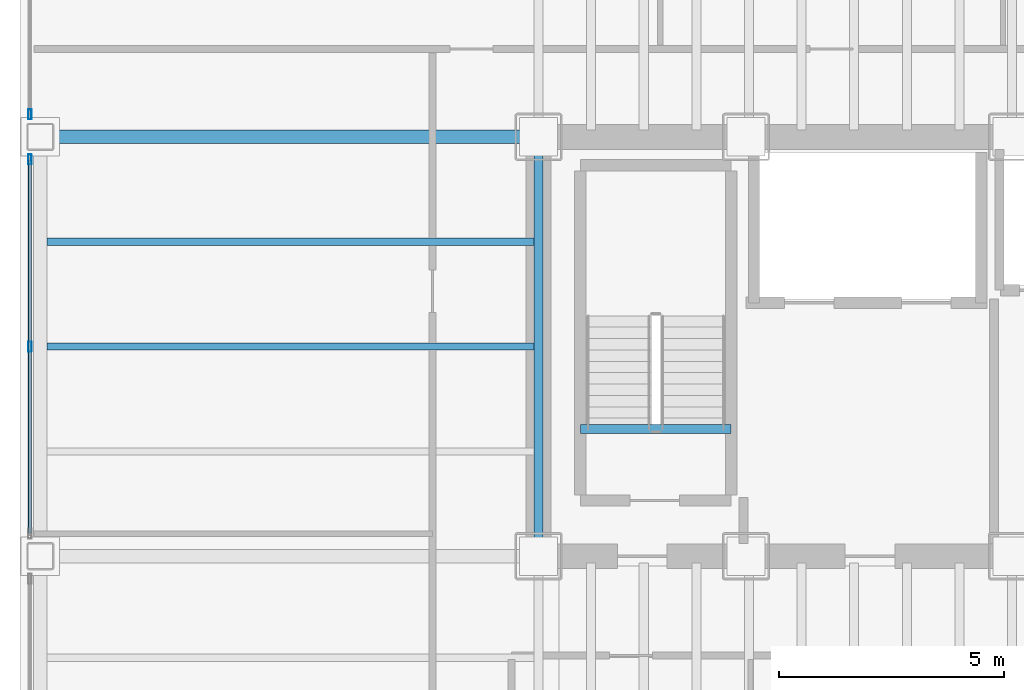
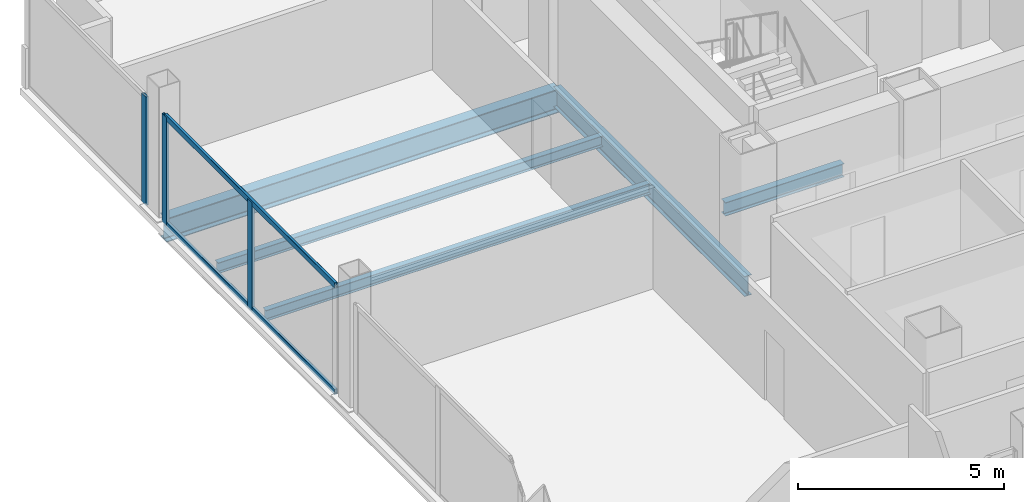
# One storey, part 6 of 21: 5 beams, 5 members, 2 elements without a shape of their own.
"""IFC4 building model written with IfcOpenShell, lengths in metres."""

from ifc_helpers import new_model, si_unit, direction, frame, origin, origin_2d, place, context, subcontext, project, spatial, hollow_rectangle, i_section, extrude, material, material_profile, profile_set, type_object, element, aggregate, save


model = new_model("IFC4")

# Units and contexts
model_context = context("Model", 3, precision=1e-05, world=origin(), true_north=direction((0.0, 1.0)))
body_context = subcontext(model_context, "Body", "Model", "MODEL_VIEW")
ifc_project = project(units=[si_unit("LENGTHUNIT", "METRE"), si_unit("AREAUNIT", "SQUARE_METRE"), si_unit("VOLUMEUNIT", "CUBIC_METRE"), si_unit("PLANEANGLEUNIT", "RADIAN"), si_unit("MASSUNIT", "GRAM", prefix="KILO")], contexts=[model_context])

# Site, building, storey
site_placement = place(None, origin())
site = spatial("IfcSite", under=ifc_project, at=site_placement, CompositionType="ELEMENT")
building_placement = place(site_placement, origin())
building = spatial("IfcBuilding", under=site, at=building_placement, Name="Noeulbin Bourse Tower", CompositionType="ELEMENT")
storey_placement = place(building_placement, frame((0.0, 0.0, 46.0)))
storey = spatial("IfcBuildingStorey", under=building, at=storey_placement, Name="L11", CompositionType="ELEMENT", Elevation=46.0)

# Beams
ifc_material_1 = material(Name="Steel S355", Category="steel")
ifc_material_profile_1 = material_profile(ifc_material_1, i_section(OverallWidth=0.199951171875, OverallDepth=0.60009765625, WebThickness=0.010986328125, FlangeThickness=0.01708984375, FilletRadius=0.02197265625, at=origin_2d()), Name="H-600x200x11x17", Category="LoadBearing")
ifc_profile_set_1 = profile_set([ifc_material_profile_1], Name="Steel S355")
beam_type_1 = type_object("IfcBeamType", Name="BM-GRD-600", PredefinedType="USERDEFINED", material=ifc_profile_set_1)
beam_1_placement = place(storey_placement, frame((13.5, 29.0, -0.47998046875), z_axis=(0.0, 1.0, 0.0), x_axis=(-1.0, 0.0, 0.0)))
element("IfcBeam", 1, at=beam_1_placement, inside=storey, type_object=beam_type_1, Name="Tower Primary Girder NS L11-1.3", ObjectType="GIRDER", PredefinedType="USERDEFINED", context=body_context, shape_type="SweptSolid", body=[
    extrude(i_section(OverallWidth=0.199951171875, OverallDepth=0.60009765625, WebThickness=0.010986328125, FlangeThickness=0.01708984375, FilletRadius=0.02197265625, at=origin_2d()), origin(), (0.0, 0.0, 1.0), 9.300048828125),
])
ifc_material_profile_2 = material_profile(ifc_material_1, i_section(OverallWidth=0.300048828125, OverallDepth=0.699951171875, WebThickness=0.012939453125, FlangeThickness=0.02392578125, FilletRadius=0.02392578125, at=origin_2d()), Name="H-700x300x13x24", Category="LoadBearing")
ifc_profile_set_2 = profile_set([ifc_material_profile_2], Name="Steel S355")
beam_type_2 = type_object("IfcBeamType", Name="BM-GRD-700", PredefinedType="USERDEFINED", material=ifc_profile_set_2)
beam_2_placement = place(storey_placement, frame((2.449951171875, 38.300048828125, -0.530029296875), z_axis=(1.0, 0.0, 0.0), x_axis=(0.0, 1.0, 0.0)))
element("IfcBeam", 2, at=beam_2_placement, inside=storey, type_object=beam_type_2, Name="Tower Primary Girder EW L11-3.1", ObjectType="GIRDER", PredefinedType="USERDEFINED", context=body_context, shape_type="SweptSolid", body=[
    extrude(i_section(OverallWidth=0.300048828125, OverallDepth=0.699951171875, WebThickness=0.012939453125, FlangeThickness=0.02392578125, FilletRadius=0.02392578125, at=origin_2d()), origin(), (0.0, 0.0, 1.0), 11.050048828125),
])
ifc_material_profile_3 = material_profile(ifc_material_1, i_section(OverallWidth=0.159912109375, OverallDepth=0.320068359375, WebThickness=0.006591796875, FlangeThickness=0.010009765625, FilletRadius=0.012939453125, at=origin_2d()), Name="H-320x160x6.5x10", Category="LoadBearing")
ifc_profile_set_3 = profile_set([ifc_material_profile_3], Name="Steel S355")
beam_type_3 = type_object("IfcBeamType", Name="BM-JST-320", PredefinedType="JOIST", material=ifc_profile_set_3)
for number, where, z_axis, x_axis, name in (
    (3, (2.60009765625, 33.64990234375, -0.340087890625), (1.0, 0.0, 0.0), (0.0, 1.0, 0.0), "Wing Composite Joist L11-W74"),
    (4, (2.60009765625, 35.97509765625, -0.340087890625), (1.0, 0.0, 0.0), (0.0, 1.0, 0.0), "Wing Composite Joist L11-W75"),
):
    element("IfcBeam", number, at=place(storey_placement, frame(where, z_axis=z_axis, x_axis=x_axis)), inside=storey, type_object=beam_type_3, Name=name, PredefinedType="JOIST", context=body_context, shape_type="SweptSolid", body=[
        extrude(i_section(OverallWidth=0.159912109375, OverallDepth=0.320068359375, WebThickness=0.006591796875, FlangeThickness=0.010009765625, FilletRadius=0.012939453125, at=origin_2d()), origin(), (0.0, 0.0, 1.0), 10.7998046875),
    ])
ifc_material_profile_4 = material_profile(ifc_material_1, i_section(OverallWidth=0.199951171875, OverallDepth=0.39990234375, WebThickness=0.008056640625, FlangeThickness=0.012939453125, FilletRadius=0.01611328125, at=origin_2d()), Name="H-400x200x8x13", Category="LoadBearing")
ifc_profile_set_4 = profile_set([ifc_material_profile_4], Name="Steel S355")
beam_type_4 = type_object("IfcBeamType", Name="BM-SEC-400", PredefinedType="BEAM", material=ifc_profile_set_4)
beam_3_placement = place(storey_placement, frame((14.429931640625, 31.820068359375, -0.199951171875), z_axis=(1.0, 0.0, 0.0), x_axis=(0.0, 1.0, 0.0)))
element("IfcBeam", 5, at=beam_3_placement, inside=storey, type_object=beam_type_4, Name="Stair Threshold Trimmer Beam ST1-L11", PredefinedType="BEAM", context=body_context, shape_type="SweptSolid", body=[
    extrude(i_section(OverallWidth=0.199951171875, OverallDepth=0.39990234375, WebThickness=0.008056640625, FlangeThickness=0.012939453125, FilletRadius=0.01611328125, at=origin_2d()), origin(), (0.0, 0.0, 1.0), 3.340087890625),
])

# Curtain wall, members
ifc_material_2 = material(Name="Dark Solar-Control Double Glazing", Category="glass")
curtain_wall_type = type_object("IfcCurtainWallType", Name="CW-SYS-2", PredefinedType="NOTDEFINED", material=ifc_material_2)
curtain_wall_1_placement = place(storey_placement, origin())
curtain_wall_1 = element("IfcCurtainWall", 6, at=curtain_wall_1_placement, inside=storey, type_object=curtain_wall_type, Name="Unitised Curtain Wall CW-L11-W-S3", PredefinedType="NOTDEFINED")
ifc_material_3 = material(Name="Anodised Aluminium 6063-T6", Category="aluminium")
ifc_material_profile_5 = material_profile(ifc_material_3, hollow_rectangle(XDim=0.074951171875, YDim=0.219970703125, WallThickness=0.0048828125, InnerFilletRadius=0.00244140625, OuterFilletRadius=0.0048828125, at=origin_2d()), Name="ALU-MULL-75x220x5", Category="LoadBearing")
ifc_profile_set_5 = profile_set([ifc_material_profile_5], Name="Anodised Aluminium 6063-T6")
member_type_1 = type_object("IfcMemberType", Name="CW-SYS-2-MUL", PredefinedType="MULLION", material=ifc_profile_set_5)
member_1_placement = place(storey_placement, frame((2.219970703125, 33.64990234375, -0.02001953125), z_axis=(0.0, 0.0, 1.0), x_axis=(1.0, 0.0, 0.0)))
member_1 = element("IfcMember", 7, at=member_1_placement, type_object=member_type_1, Name="Curtain Wall Mullion CW-L11-W-S3-M01", PredefinedType="MULLION", context=body_context, shape_type="SweptSolid", body=[
    extrude(hollow_rectangle(XDim=0.074951171875, YDim=0.219970703125, WallThickness=0.0048828125, InnerFilletRadius=0.00244140625, OuterFilletRadius=0.0048828125, at=origin_2d()), origin(), (0.0, 0.0, 1.0), 3.219970703125),
])
member_2_placement = place(storey_placement, frame((2.219970703125, 37.800048828125, -0.02001953125), z_axis=(0.0, 0.0, 1.0), x_axis=(1.0, 0.0, 0.0)))
member_2 = element("IfcMember", 8, at=member_2_placement, type_object=member_type_1, Name="Curtain Wall Mullion CW-L11-W-S3-M02", PredefinedType="MULLION", context=body_context, shape_type="SweptSolid", body=[
    extrude(hollow_rectangle(XDim=0.074951171875, YDim=0.219970703125, WallThickness=0.0048828125, InnerFilletRadius=0.00244140625, OuterFilletRadius=0.0048828125, at=origin_2d()), origin(), (0.0, 0.0, 1.0), 3.219970703125),
])

# Curtain wall, member
curtain_wall_2_placement = place(storey_placement, origin())
curtain_wall_2 = element("IfcCurtainWall", 9, at=curtain_wall_2_placement, inside=storey, type_object=curtain_wall_type, Name="Unitised Curtain Wall CW-L11-W-S4", PredefinedType="NOTDEFINED")
member_3_placement = place(storey_placement, frame((2.219970703125, 38.800048828125, -0.02001953125), z_axis=(0.0, 0.0, 1.0), x_axis=(1.0, 0.0, 0.0)))
member_3 = element("IfcMember", 10, at=member_3_placement, type_object=member_type_1, Name="Curtain Wall Mullion CW-L11-W-S4-M00", PredefinedType="MULLION", context=body_context, shape_type="SweptSolid", body=[
    extrude(hollow_rectangle(XDim=0.074951171875, YDim=0.219970703125, WallThickness=0.0048828125, InnerFilletRadius=0.00244140625, OuterFilletRadius=0.0048828125, at=origin_2d()), origin(), (0.0, 0.0, 1.0), 3.219970703125),
])
aggregate(curtain_wall_2, [member_3])

# Member
ifc_material_profile_6 = material_profile(ifc_material_3, hollow_rectangle(XDim=0.074951171875, YDim=0.159912109375, WallThickness=0.0048828125, InnerFilletRadius=0.00244140625, OuterFilletRadius=0.0048828125, at=origin_2d()), Name="ALU-TRAN-75x160x5", Category="LoadBearing")
ifc_profile_set_6 = profile_set([ifc_material_profile_6], Name="Anodised Aluminium 6063-T6")
member_type_2 = type_object("IfcMemberType", Name="CW-SYS-2-TRN", PredefinedType="USERDEFINED", material=ifc_profile_set_6)
member_4_placement = place(storey_placement, frame((2.219970703125, 29.510009765625, 0.010009765625), z_axis=(0.0, 1.0, 0.0), x_axis=(-1.0, 0.0, 0.0)))
member_4 = element("IfcMember", 11, at=member_4_placement, type_object=member_type_2, Name="Curtain Wall Transom CW-L11-W-S3-T00", ObjectType="TRANSOM", PredefinedType="USERDEFINED", context=body_context, shape_type="SweptSolid", body=[
    extrude(hollow_rectangle(XDim=0.074951171875, YDim=0.159912109375, WallThickness=0.0048828125, InnerFilletRadius=0.00244140625, OuterFilletRadius=0.0048828125, at=origin_2d()), origin(), (0.0, 0.0, 1.0), 8.280029296875),
])

member_5_placement = place(storey_placement, frame((2.219970703125, 29.510009765625, 3.169921875), z_axis=(0.0, 1.0, 0.0), x_axis=(-1.0, 0.0, 0.0)))
member_5 = element("IfcMember", 12, at=member_5_placement, type_object=member_type_2, Name="Curtain Wall Transom CW-L11-W-S3-T01", ObjectType="TRANSOM", PredefinedType="USERDEFINED", context=body_context, shape_type="SweptSolid", body=[
    extrude(hollow_rectangle(XDim=0.074951171875, YDim=0.159912109375, WallThickness=0.0048828125, InnerFilletRadius=0.00244140625, OuterFilletRadius=0.0048828125, at=origin_2d()), origin(), (0.0, 0.0, 1.0), 8.280029296875),
])

aggregate(curtain_wall_1, [member_1, member_2, member_4, member_5])

save(model, "model.ifc")
